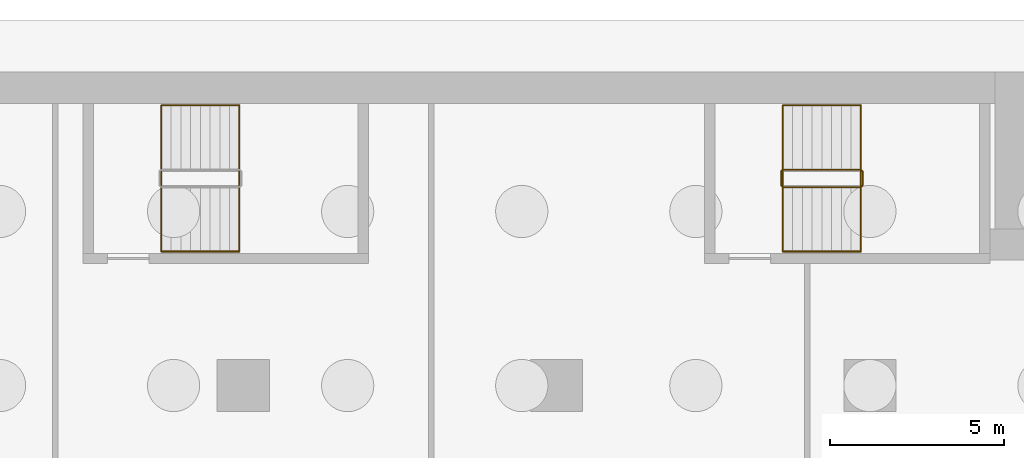
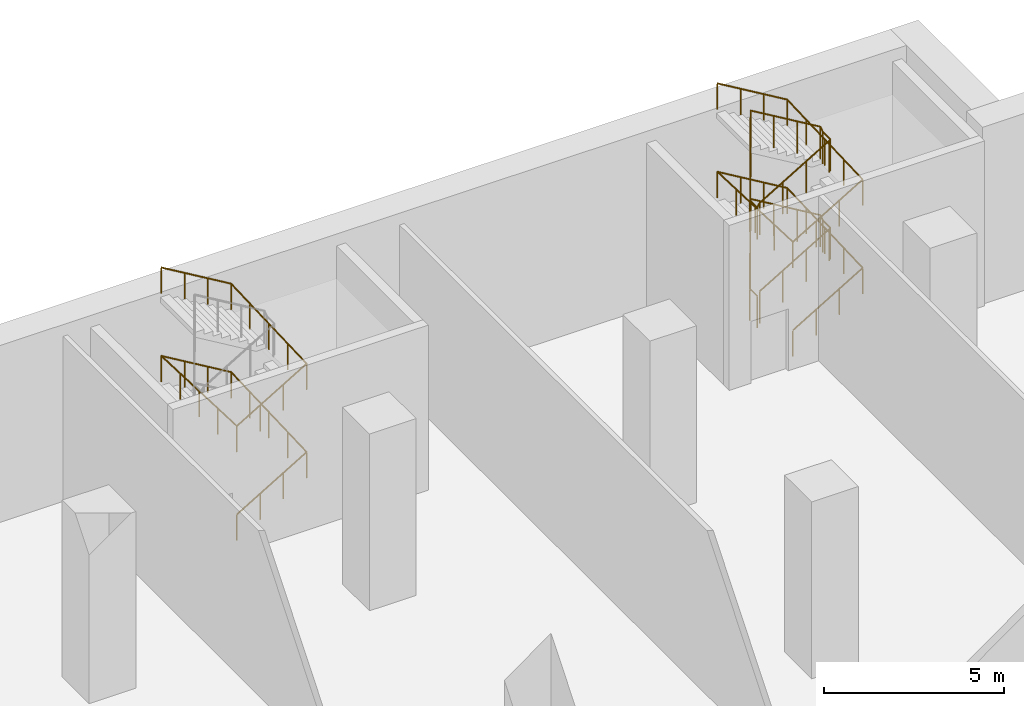
# One storey, part 24 of 25: 3 railings.
"""IFC4 building model written with IfcOpenShell, lengths in metres."""

from ifc_helpers import new_model, si_unit, direction, frame, origin, origin_2d, place, context, subcontext, project, spatial, circle, extrude, material, type_object, element, save


model = new_model("IFC4")

# Units and contexts
model_context = context("Model", 3, precision=1e-05, world=origin(), true_north=direction((0.0, 1.0)))
body_context = subcontext(model_context, "Body", "Model", "MODEL_VIEW")
ifc_project = project(units=[si_unit("LENGTHUNIT", "METRE"), si_unit("AREAUNIT", "SQUARE_METRE"), si_unit("VOLUMEUNIT", "CUBIC_METRE"), si_unit("PLANEANGLEUNIT", "RADIAN"), si_unit("MASSUNIT", "GRAM", prefix="KILO")], contexts=[model_context])

# Site, building, storey
site_placement = place(None, origin())
site = spatial("IfcSite", under=ifc_project, at=site_placement, CompositionType="ELEMENT")
building_placement = place(site_placement, origin())
building = spatial("IfcBuilding", under=site, at=building_placement, Name="Hunhe Ridgeline Campus", CompositionType="ELEMENT")
storey_placement = place(building_placement, frame((0.0, 0.0, -6.0)))
storey = spatial("IfcBuildingStorey", under=building, at=storey_placement, Name="B1", CompositionType="ELEMENT", Elevation=-6.0)

# Railings
ifc_material_1 = material(Name="Stainless steel balustrade", Category="steel")
railing_type_1 = type_object("IfcRailingType", Name="Stair guard 1100 stainless", PredefinedType="GUARDRAIL", material=ifc_material_1)
railing_1_placement = place(storey_placement, frame((87.5, 95.699951171875, 0.166748046875)))
element("IfcRailing", 1, at=railing_1_placement, inside=storey, type_object=railing_type_1, Name="B1 stair E4 guard", PredefinedType="GUARDRAIL", context=body_context, shape_type="SweptSolid", body=[
    extrude(circle(Radius=0.02392578125, at=origin_2d()), frame((0.0, 0.0, 1.076171875), z_axis=(0.859305625298, 0.0, 0.511462454469), x_axis=(0.0, 1.0, 0.0)), (0.0, 0.0, 1.0), 2.606689453125),
    extrude(circle(Radius=0.02392578125, at=origin_2d()), frame((2.239990234375, 0.0, 2.4091796875), z_axis=(0.707106781187, 0.707106781187, 0.0), x_axis=(-0.707106781187, 0.707106781187, 0.0)), (0.0, 0.0, 1.0), 0.07080078125),
    extrude(circle(Radius=0.02392578125, at=origin_2d()), frame((2.2900390625, 0.050048828125, 2.4091796875), z_axis=(0.0, 1.0, 0.0), x_axis=(-1.0, 0.0, 0.0)), (0.0, 0.0, 1.0), 0.39990234375),
    extrude(circle(Radius=0.02392578125, at=origin_2d()), frame((2.2900390625, 0.449951171875, 2.4091796875), z_axis=(-0.27628659633, 0.27628659633, 0.920506074601), x_axis=(-0.707106781187, -0.707106781187, 0.0)), (0.0, 0.0, 1.0), 0.18115234375),
    extrude(circle(Radius=0.02392578125, at=origin_2d()), frame((2.239990234375, 0.5, 2.576171875), z_axis=(-0.859305625298, 0.0, 0.511462454469), x_axis=(0.0, -1.0, 0.0)), (0.0, 0.0, 1.0), 2.606689453125),
    extrude(circle(Radius=0.02392578125, at=origin_2d()), frame((0.0, 0.5, 3.9091796875), z_axis=(-0.707106781187, -0.707106781187, 0.0), x_axis=(0.707106781187, -0.707106781187, 0.0)), (0.0, 0.0, 1.0), 0.07080078125),
    extrude(circle(Radius=0.02392578125, at=origin_2d()), frame((-0.050048828125, 0.449951171875, 3.9091796875), z_axis=(0.0, -1.0, 0.0), x_axis=(1.0, 0.0, 0.0)), (0.0, 0.0, 1.0), 0.39990234375),
    extrude(circle(Radius=0.02392578125, at=origin_2d()), frame((-0.050048828125, 0.050048828125, 3.9091796875), z_axis=(0.27628659633, -0.27628659633, 0.920506074601), x_axis=(0.707106781187, 0.707106781187, 0.0)), (0.0, 0.0, 1.0), 0.18115234375),
    extrude(circle(Radius=0.02392578125, at=origin_2d()), frame((0.0, 0.0, 4.076171875), z_axis=(0.859305625298, 0.0, 0.511462454469), x_axis=(0.0, 1.0, 0.0)), (0.0, 0.0, 1.0), 2.606689453125),
    extrude(circle(Radius=0.02392578125, at=origin_2d()), frame((2.239990234375, 0.0, 5.4091796875), z_axis=(0.707106781187, 0.707106781187, 0.0), x_axis=(-0.707106781187, 0.707106781187, 0.0)), (0.0, 0.0, 1.0), 0.07080078125),
    extrude(circle(Radius=0.02392578125, at=origin_2d()), frame((2.2900390625, 0.050048828125, 5.4091796875), z_axis=(0.0, 1.0, 0.0), x_axis=(-1.0, 0.0, 0.0)), (0.0, 0.0, 1.0), 0.39990234375),
    extrude(circle(Radius=0.02392578125, at=origin_2d()), frame((2.2900390625, 0.449951171875, 5.4091796875), z_axis=(-0.27628659633, 0.27628659633, 0.920506074601), x_axis=(-0.707106781187, -0.707106781187, 0.0)), (0.0, 0.0, 1.0), 0.18115234375),
    extrude(circle(Radius=0.02392578125, at=origin_2d()), frame((2.239990234375, 0.5, 5.576171875), z_axis=(-0.859305625298, 0.0, 0.511462454469), x_axis=(0.0, -1.0, 0.0)), (0.0, 0.0, 1.0), 2.606689453125),
    extrude(circle(Radius=0.02392578125, at=origin_2d()), frame((0.0, 0.5, 6.9091796875), z_axis=(-0.008340891014, -0.008340891014, -0.999930427117), x_axis=(1.0, 0.0, 0.0)), (0.0, 0.0, 1.0), 6.00048828125),
    extrude(circle(Radius=0.02392578125, at=origin_2d()), frame((-0.050048828125, 0.449951171875, 0.9091796875), z_axis=(0.0, -1.0, 0.0), x_axis=(1.0, 0.0, 0.0)), (0.0, 0.0, 1.0), 0.39990234375),
    extrude(circle(Radius=0.02099609375, at=origin_2d()), origin(), (0.0, 0.0, 1.0), 1.052001953125),
    extrude(circle(Radius=0.02099609375, at=origin_2d()), frame((0.74658203125, 0.0, 0.4443359375)), (0.0, 0.0, 1.0), 1.052001953125),
    extrude(circle(Radius=0.02099609375, at=origin_2d()), frame((1.493408203125, 0.0, 0.888916015625)), (0.0, 0.0, 1.0), 1.052001953125),
    extrude(circle(Radius=0.02099609375, at=origin_2d()), frame((2.239990234375, 0.0, 1.333251953125)), (0.0, 0.0, 1.0), 1.052001953125),
    extrude(circle(Radius=0.02099609375, at=origin_2d()), frame((2.2900390625, 0.050048828125, 1.333251953125)), (0.0, 0.0, 1.0), 1.052001953125),
    extrude(circle(Radius=0.02099609375, at=origin_2d()), frame((2.2900390625, 0.449951171875, 1.333251953125)), (0.0, 0.0, 1.0), 1.052001953125),
    extrude(circle(Radius=0.02099609375, at=origin_2d()), frame((2.239990234375, 0.5, 1.5)), (0.0, 0.0, 1.0), 1.052001953125),
    extrude(circle(Radius=0.02099609375, at=origin_2d()), frame((1.493408203125, 0.5, 1.9443359375)), (0.0, 0.0, 1.0), 1.052001953125),
    extrude(circle(Radius=0.02099609375, at=origin_2d()), frame((0.74658203125, 0.5, 2.388916015625)), (0.0, 0.0, 1.0), 1.052001953125),
    extrude(circle(Radius=0.02099609375, at=origin_2d()), frame((0.0, 0.5, 2.833251953125)), (0.0, 0.0, 1.0), 1.052001953125),
    extrude(circle(Radius=0.02099609375, at=origin_2d()), frame((-0.050048828125, 0.449951171875, 2.833251953125)), (0.0, 0.0, 1.0), 1.052001953125),
    extrude(circle(Radius=0.02099609375, at=origin_2d()), frame((-0.050048828125, 0.050048828125, 2.833251953125)), (0.0, 0.0, 1.0), 1.052001953125),
    extrude(circle(Radius=0.02099609375, at=origin_2d()), frame((0.0, 0.0, 3.0)), (0.0, 0.0, 1.0), 1.052001953125),
    extrude(circle(Radius=0.02099609375, at=origin_2d()), frame((0.74658203125, 0.0, 3.4443359375)), (0.0, 0.0, 1.0), 1.052001953125),
    extrude(circle(Radius=0.02099609375, at=origin_2d()), frame((1.493408203125, 0.0, 3.888916015625)), (0.0, 0.0, 1.0), 1.052001953125),
    extrude(circle(Radius=0.02099609375, at=origin_2d()), frame((2.239990234375, 0.0, 4.333251953125)), (0.0, 0.0, 1.0), 1.052001953125),
    extrude(circle(Radius=0.02099609375, at=origin_2d()), frame((2.2900390625, 0.050048828125, 4.333251953125)), (0.0, 0.0, 1.0), 1.052001953125),
    extrude(circle(Radius=0.02099609375, at=origin_2d()), frame((2.2900390625, 0.449951171875, 4.333251953125)), (0.0, 0.0, 1.0), 1.052001953125),
    extrude(circle(Radius=0.02099609375, at=origin_2d()), frame((2.239990234375, 0.5, 4.5)), (0.0, 0.0, 1.0), 1.052001953125),
    extrude(circle(Radius=0.02099609375, at=origin_2d()), frame((1.493408203125, 0.5, 4.9443359375)), (0.0, 0.0, 1.0), 1.052001953125),
    extrude(circle(Radius=0.02099609375, at=origin_2d()), frame((0.74658203125, 0.5, 5.388916015625)), (0.0, 0.0, 1.0), 1.052001953125),
    extrude(circle(Radius=0.02099609375, at=origin_2d()), frame((0.0, 0.5, 5.833251953125)), (0.0, 0.0, 1.0), 1.052001953125),
    extrude(circle(Radius=0.02099609375, at=origin_2d()), frame((-0.00830078125, 0.49169921875, 4.833251953125)), (0.0, 0.0, 1.0), 1.052001953125),
    extrude(circle(Radius=0.02099609375, at=origin_2d()), frame((-0.0166015625, 0.4833984375, 3.833251953125)), (0.0, 0.0, 1.0), 1.052001953125),
    extrude(circle(Radius=0.02099609375, at=origin_2d()), frame((-0.02490234375, 0.47509765625, 2.833251953125)), (0.0, 0.0, 1.0), 1.052001953125),
    extrude(circle(Radius=0.02099609375, at=origin_2d()), frame((-0.033447265625, 0.466552734375, 1.833251953125)), (0.0, 0.0, 1.0), 1.052001953125),
    extrude(circle(Radius=0.02099609375, at=origin_2d()), frame((-0.041748046875, 0.458251953125, 0.833251953125)), (0.0, 0.0, 1.0), 1.052001953125),
    extrude(circle(Radius=0.02099609375, at=origin_2d()), frame((-0.050048828125, 0.449951171875, -0.166748046875)), (0.0, 0.0, 1.0), 1.052001953125),
    extrude(circle(Radius=0.02099609375, at=origin_2d()), frame((-0.050048828125, 0.050048828125, -0.166748046875)), (0.0, 0.0, 1.0), 1.052001953125),
])
ifc_material_2 = material(Name="Stainless steel handrail", Category="steel")
railing_type_2 = type_object("IfcRailingType", Name="Stair handrail 900 stainless", PredefinedType="HANDRAIL", material=ifc_material_2)
railing_2_placement = place(storey_placement, frame((69.64990234375, 93.85009765625, 0.166748046875)))
element("IfcRailing", 2, at=railing_2_placement, inside=storey, type_object=railing_type_2, Name="B1 stair E3 handrail", PredefinedType="HANDRAIL", context=body_context, shape_type="SweptSolid", body=[
    extrude(circle(Radius=0.02392578125, at=origin_2d()), frame((0.0, 0.0, 0.8759765625), z_axis=(0.859305625298, 0.0, 0.511462454469), x_axis=(0.0, 1.0, 0.0)), (0.0, 0.0, 1.0), 2.606689453125),
    extrude(circle(Radius=0.02392578125, at=origin_2d()), frame((2.239990234375, 0.0, 2.208984375), z_axis=(0.0, 0.999212791134, 0.039671123429), x_axis=(-1.0, 0.0, 0.0)), (0.0, 0.0, 1.0), 4.203369140625),
    extrude(circle(Radius=0.02392578125, at=origin_2d()), frame((2.239990234375, 4.199951171875, 2.3759765625), z_axis=(-0.859305625298, 0.0, 0.511462454469), x_axis=(0.0, -1.0, 0.0)), (0.0, 0.0, 1.0), 2.606689453125),
    extrude(circle(Radius=0.02392578125, at=origin_2d()), frame((0.0, 4.199951171875, 3.708984375), z_axis=(0.0, -0.999212791134, 0.039671123429), x_axis=(1.0, 0.0, 0.0)), (0.0, 0.0, 1.0), 4.203369140625),
    extrude(circle(Radius=0.02392578125, at=origin_2d()), frame((0.0, 0.0, 3.8759765625), z_axis=(0.859305625298, 0.0, 0.511462454469), x_axis=(0.0, 1.0, 0.0)), (0.0, 0.0, 1.0), 2.606689453125),
    extrude(circle(Radius=0.02392578125, at=origin_2d()), frame((2.239990234375, 0.0, 5.208984375), z_axis=(0.0, 0.999212791134, 0.039671123429), x_axis=(-1.0, 0.0, 0.0)), (0.0, 0.0, 1.0), 4.203369140625),
    extrude(circle(Radius=0.02392578125, at=origin_2d()), frame((2.239990234375, 4.199951171875, 5.3759765625), z_axis=(-0.859305625298, 0.0, 0.511462454469), x_axis=(0.0, -1.0, 0.0)), (0.0, 0.0, 1.0), 2.606689453125),
    extrude(circle(Radius=0.02099609375, at=origin_2d()), origin(), (0.0, 0.0, 1.0), 0.851806640625),
    extrude(circle(Radius=0.02099609375, at=origin_2d()), frame((0.74658203125, 0.0, 0.4443359375)), (0.0, 0.0, 1.0), 0.851806640625),
    extrude(circle(Radius=0.02099609375, at=origin_2d()), frame((1.493408203125, 0.0, 0.888916015625)), (0.0, 0.0, 1.0), 0.851806640625),
    extrude(circle(Radius=0.02099609375, at=origin_2d()), frame((2.239990234375, 0.0, 1.333251953125)), (0.0, 0.0, 1.0), 0.851806640625),
    extrude(circle(Radius=0.02099609375, at=origin_2d()), frame((2.239990234375, 1.050048828125, 1.375)), (0.0, 0.0, 1.0), 0.851806640625),
    extrude(circle(Radius=0.02099609375, at=origin_2d()), frame((2.239990234375, 2.10009765625, 1.41650390625)), (0.0, 0.0, 1.0), 0.851806640625),
    extrude(circle(Radius=0.02099609375, at=origin_2d()), frame((2.239990234375, 3.14990234375, 1.458251953125)), (0.0, 0.0, 1.0), 0.851806640625),
    extrude(circle(Radius=0.02099609375, at=origin_2d()), frame((2.239990234375, 4.199951171875, 1.5)), (0.0, 0.0, 1.0), 0.851806640625),
    extrude(circle(Radius=0.02099609375, at=origin_2d()), frame((1.493408203125, 4.199951171875, 1.9443359375)), (0.0, 0.0, 1.0), 0.851806640625),
    extrude(circle(Radius=0.02099609375, at=origin_2d()), frame((0.74658203125, 4.199951171875, 2.388916015625)), (0.0, 0.0, 1.0), 0.851806640625),
    extrude(circle(Radius=0.02099609375, at=origin_2d()), frame((0.0, 4.199951171875, 2.833251953125)), (0.0, 0.0, 1.0), 0.851806640625),
    extrude(circle(Radius=0.02099609375, at=origin_2d()), frame((0.0, 3.14990234375, 2.875)), (0.0, 0.0, 1.0), 0.851806640625),
    extrude(circle(Radius=0.02099609375, at=origin_2d()), frame((0.0, 2.10009765625, 2.91650390625)), (0.0, 0.0, 1.0), 0.851806640625),
    extrude(circle(Radius=0.02099609375, at=origin_2d()), frame((0.0, 1.050048828125, 2.958251953125)), (0.0, 0.0, 1.0), 0.851806640625),
    extrude(circle(Radius=0.02099609375, at=origin_2d()), frame((0.0, 0.0, 3.0)), (0.0, 0.0, 1.0), 0.851806640625),
    extrude(circle(Radius=0.02099609375, at=origin_2d()), frame((0.74658203125, 0.0, 3.4443359375)), (0.0, 0.0, 1.0), 0.851806640625),
    extrude(circle(Radius=0.02099609375, at=origin_2d()), frame((1.493408203125, 0.0, 3.888916015625)), (0.0, 0.0, 1.0), 0.851806640625),
    extrude(circle(Radius=0.02099609375, at=origin_2d()), frame((2.239990234375, 0.0, 4.333251953125)), (0.0, 0.0, 1.0), 0.851806640625),
    extrude(circle(Radius=0.02099609375, at=origin_2d()), frame((2.239990234375, 1.050048828125, 4.375)), (0.0, 0.0, 1.0), 0.851806640625),
    extrude(circle(Radius=0.02099609375, at=origin_2d()), frame((2.239990234375, 2.10009765625, 4.41650390625)), (0.0, 0.0, 1.0), 0.851806640625),
    extrude(circle(Radius=0.02099609375, at=origin_2d()), frame((2.239990234375, 3.14990234375, 4.458251953125)), (0.0, 0.0, 1.0), 0.851806640625),
    extrude(circle(Radius=0.02099609375, at=origin_2d()), frame((2.239990234375, 4.199951171875, 4.5)), (0.0, 0.0, 1.0), 0.851806640625),
    extrude(circle(Radius=0.02099609375, at=origin_2d()), frame((1.493408203125, 4.199951171875, 4.9443359375)), (0.0, 0.0, 1.0), 0.851806640625),
    extrude(circle(Radius=0.02099609375, at=origin_2d()), frame((0.74658203125, 4.199951171875, 5.388916015625)), (0.0, 0.0, 1.0), 0.851806640625),
    extrude(circle(Radius=0.02099609375, at=origin_2d()), frame((0.0, 4.199951171875, 5.833251953125)), (0.0, 0.0, 1.0), 0.851806640625),
])
railing_3_placement = place(storey_placement, frame((87.5, 93.85009765625, 0.166748046875)))
element("IfcRailing", 3, at=railing_3_placement, inside=storey, type_object=railing_type_2, Name="B1 stair E4 handrail", PredefinedType="HANDRAIL", context=body_context, shape_type="SweptSolid", body=[
    extrude(circle(Radius=0.02392578125, at=origin_2d()), frame((0.0, 0.0, 0.8759765625), z_axis=(0.859305625298, 0.0, 0.511462454469), x_axis=(0.0, 1.0, 0.0)), (0.0, 0.0, 1.0), 2.606689453125),
    extrude(circle(Radius=0.02392578125, at=origin_2d()), frame((2.239990234375, 0.0, 2.208984375), z_axis=(0.0, 0.999212791134, 0.039671123429), x_axis=(-1.0, 0.0, 0.0)), (0.0, 0.0, 1.0), 4.203369140625),
    extrude(circle(Radius=0.02392578125, at=origin_2d()), frame((2.239990234375, 4.199951171875, 2.3759765625), z_axis=(-0.859305625298, 0.0, 0.511462454469), x_axis=(0.0, -1.0, 0.0)), (0.0, 0.0, 1.0), 2.606689453125),
    extrude(circle(Radius=0.02392578125, at=origin_2d()), frame((0.0, 4.199951171875, 3.708984375), z_axis=(0.0, -0.999212791134, 0.039671123429), x_axis=(1.0, 0.0, 0.0)), (0.0, 0.0, 1.0), 4.203369140625),
    extrude(circle(Radius=0.02392578125, at=origin_2d()), frame((0.0, 0.0, 3.8759765625), z_axis=(0.859305625298, 0.0, 0.511462454469), x_axis=(0.0, 1.0, 0.0)), (0.0, 0.0, 1.0), 2.606689453125),
    extrude(circle(Radius=0.02392578125, at=origin_2d()), frame((2.239990234375, 0.0, 5.208984375), z_axis=(0.0, 0.999212791134, 0.039671123429), x_axis=(-1.0, 0.0, 0.0)), (0.0, 0.0, 1.0), 4.203369140625),
    extrude(circle(Radius=0.02392578125, at=origin_2d()), frame((2.239990234375, 4.199951171875, 5.3759765625), z_axis=(-0.859305625298, 0.0, 0.511462454469), x_axis=(0.0, -1.0, 0.0)), (0.0, 0.0, 1.0), 2.606689453125),
    extrude(circle(Radius=0.02099609375, at=origin_2d()), origin(), (0.0, 0.0, 1.0), 0.851806640625),
    extrude(circle(Radius=0.02099609375, at=origin_2d()), frame((0.74658203125, 0.0, 0.4443359375)), (0.0, 0.0, 1.0), 0.851806640625),
    extrude(circle(Radius=0.02099609375, at=origin_2d()), frame((1.493408203125, 0.0, 0.888916015625)), (0.0, 0.0, 1.0), 0.851806640625),
    extrude(circle(Radius=0.02099609375, at=origin_2d()), frame((2.239990234375, 0.0, 1.333251953125)), (0.0, 0.0, 1.0), 0.851806640625),
    extrude(circle(Radius=0.02099609375, at=origin_2d()), frame((2.239990234375, 1.050048828125, 1.375)), (0.0, 0.0, 1.0), 0.851806640625),
    extrude(circle(Radius=0.02099609375, at=origin_2d()), frame((2.239990234375, 2.10009765625, 1.41650390625)), (0.0, 0.0, 1.0), 0.851806640625),
    extrude(circle(Radius=0.02099609375, at=origin_2d()), frame((2.239990234375, 3.14990234375, 1.458251953125)), (0.0, 0.0, 1.0), 0.851806640625),
    extrude(circle(Radius=0.02099609375, at=origin_2d()), frame((2.239990234375, 4.199951171875, 1.5)), (0.0, 0.0, 1.0), 0.851806640625),
    extrude(circle(Radius=0.02099609375, at=origin_2d()), frame((1.493408203125, 4.199951171875, 1.9443359375)), (0.0, 0.0, 1.0), 0.851806640625),
    extrude(circle(Radius=0.02099609375, at=origin_2d()), frame((0.74658203125, 4.199951171875, 2.388916015625)), (0.0, 0.0, 1.0), 0.851806640625),
    extrude(circle(Radius=0.02099609375, at=origin_2d()), frame((0.0, 4.199951171875, 2.833251953125)), (0.0, 0.0, 1.0), 0.851806640625),
    extrude(circle(Radius=0.02099609375, at=origin_2d()), frame((0.0, 3.14990234375, 2.875)), (0.0, 0.0, 1.0), 0.851806640625),
    extrude(circle(Radius=0.02099609375, at=origin_2d()), frame((0.0, 2.10009765625, 2.91650390625)), (0.0, 0.0, 1.0), 0.851806640625),
    extrude(circle(Radius=0.02099609375, at=origin_2d()), frame((0.0, 1.050048828125, 2.958251953125)), (0.0, 0.0, 1.0), 0.851806640625),
    extrude(circle(Radius=0.02099609375, at=origin_2d()), frame((0.0, 0.0, 3.0)), (0.0, 0.0, 1.0), 0.851806640625),
    extrude(circle(Radius=0.02099609375, at=origin_2d()), frame((0.74658203125, 0.0, 3.4443359375)), (0.0, 0.0, 1.0), 0.851806640625),
    extrude(circle(Radius=0.02099609375, at=origin_2d()), frame((1.493408203125, 0.0, 3.888916015625)), (0.0, 0.0, 1.0), 0.851806640625),
    extrude(circle(Radius=0.02099609375, at=origin_2d()), frame((2.239990234375, 0.0, 4.333251953125)), (0.0, 0.0, 1.0), 0.851806640625),
    extrude(circle(Radius=0.02099609375, at=origin_2d()), frame((2.239990234375, 1.050048828125, 4.375)), (0.0, 0.0, 1.0), 0.851806640625),
    extrude(circle(Radius=0.02099609375, at=origin_2d()), frame((2.239990234375, 2.10009765625, 4.41650390625)), (0.0, 0.0, 1.0), 0.851806640625),
    extrude(circle(Radius=0.02099609375, at=origin_2d()), frame((2.239990234375, 3.14990234375, 4.458251953125)), (0.0, 0.0, 1.0), 0.851806640625),
    extrude(circle(Radius=0.02099609375, at=origin_2d()), frame((2.239990234375, 4.199951171875, 4.5)), (0.0, 0.0, 1.0), 0.851806640625),
    extrude(circle(Radius=0.02099609375, at=origin_2d()), frame((1.493408203125, 4.199951171875, 4.9443359375)), (0.0, 0.0, 1.0), 0.851806640625),
    extrude(circle(Radius=0.02099609375, at=origin_2d()), frame((0.74658203125, 4.199951171875, 5.388916015625)), (0.0, 0.0, 1.0), 0.851806640625),
    extrude(circle(Radius=0.02099609375, at=origin_2d()), frame((0.0, 4.199951171875, 5.833251953125)), (0.0, 0.0, 1.0), 0.851806640625),
])

save(model, "model.ifc")
